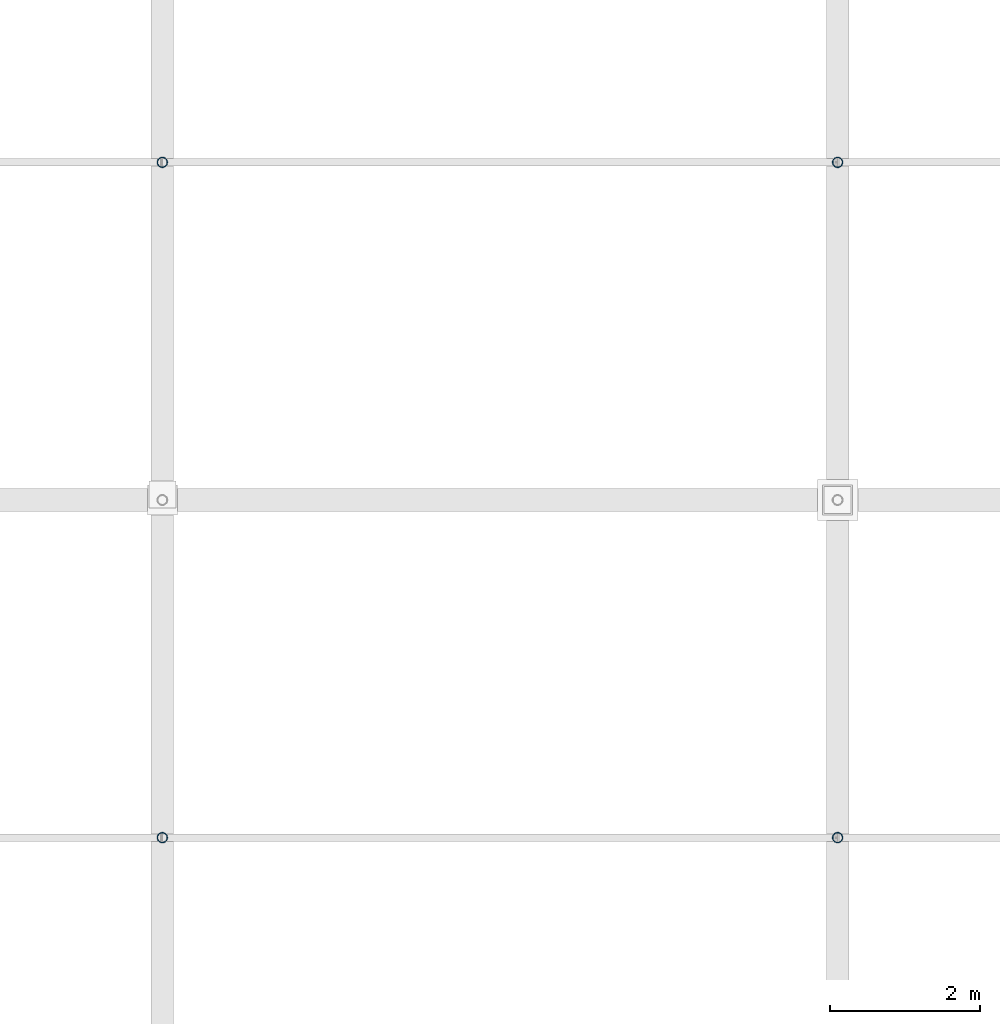
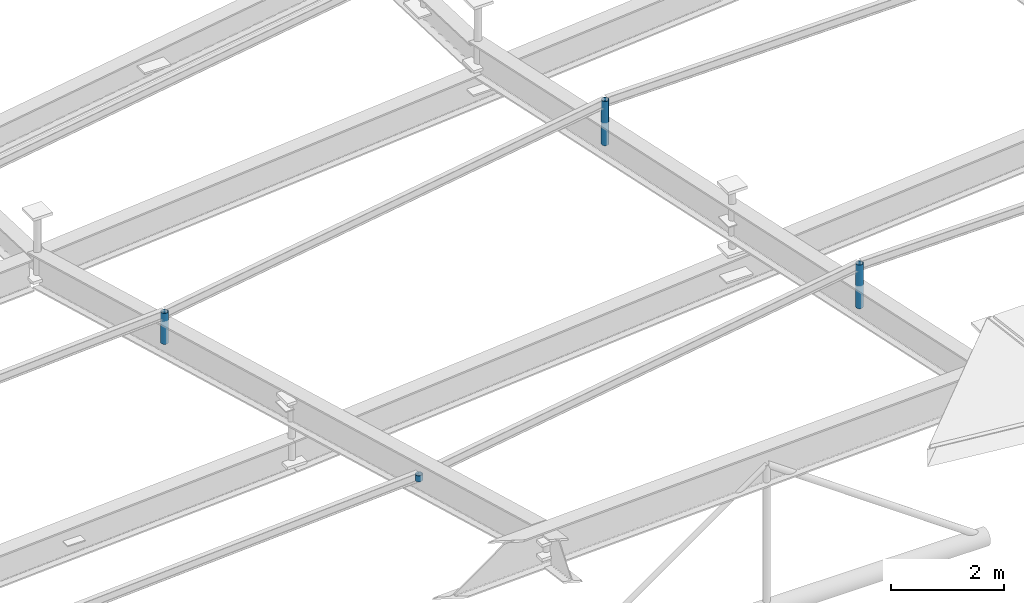
# One storey, part 73 of 80: 4 members.
"""IFC4 building model written with IfcOpenShell, lengths in metres."""

from ifc_helpers import new_model, si_unit, direction, frame, origin, origin_2d, place, context, subcontext, project, spatial, hollow_circle, extrude, material, material_profile, profile_set, type_object, element, save


model = new_model("IFC4")

# Units and contexts
model_context = context("Model", 3, precision=1e-05, world=origin(), true_north=direction((0.0, 1.0)))
body_context = subcontext(model_context, "Body", "Model", "MODEL_VIEW")
ifc_project = project(units=[si_unit("LENGTHUNIT", "METRE"), si_unit("AREAUNIT", "SQUARE_METRE"), si_unit("VOLUMEUNIT", "CUBIC_METRE"), si_unit("PLANEANGLEUNIT", "RADIAN"), si_unit("MASSUNIT", "GRAM", prefix="KILO")], contexts=[model_context])

# Site, building, storey
site_placement = place(None, origin())
site = spatial("IfcSite", under=ifc_project, at=site_placement, CompositionType="ELEMENT")
building_placement = place(site_placement, origin())
building = spatial("IfcBuilding", under=site, at=building_placement, Name="Barlavento Convention Centre", CompositionType="ELEMENT")
storey_placement = place(building_placement, frame((0.0, 0.0, 29.800048828125)))
storey = spatial("IfcBuildingStorey", under=building, at=storey_placement, Name="RF", CompositionType="ELEMENT", Elevation=29.800048828125)

# Members
ifc_material = material(Name="Steel S355", Category="steel")
ifc_material_profile = material_profile(ifc_material, hollow_circle(Radius=0.06982421875, WallThickness=0.008056640625, at=origin_2d()), Name="CHS 139.7x8.0")
ifc_profile_set = profile_set([ifc_material_profile], Name="Steel S355")
member_type = type_object("IfcMemberType", Name="STR-MEM-DIAG-CHS139", PredefinedType="BRACE", material=ifc_profile_set)
member_1_placement = place(storey_placement, frame((45.0, 40.5, -2.705078125), z_axis=(0.0, 0.0, 1.0), x_axis=(1.0, 0.0, 0.0)))
element("IfcMember", 1, at=member_1_placement, inside=storey, type_object=member_type, Name="Congress space frame vertical node post TD04", PredefinedType="BRACE", context=body_context, shape_type="SweptSolid", body=[
    extrude(hollow_circle(Radius=0.06982421875, WallThickness=0.008056640625, at=origin_2d()), origin(), (0.0, 0.0, 1.0), 0.1298828125),
])
member_2_placement = place(storey_placement, frame((45.0, 49.5, -5.193359375), z_axis=(0.0, 0.0, 1.0), x_axis=(1.0, 0.0, 0.0)))
element("IfcMember", 2, at=member_2_placement, inside=storey, type_object=member_type, Name="Congress space frame vertical node post TD04", PredefinedType="BRACE", context=body_context, shape_type="SweptSolid", body=[
    extrude(hollow_circle(Radius=0.06982421875, WallThickness=0.008056640625, at=origin_2d()), origin(), (0.0, 0.0, 1.0), 0.669189453125),
])
member_3_placement = place(storey_placement, frame((54.0, 40.5, -2.1181640625), z_axis=(0.0, 0.0, 1.0), x_axis=(1.0, 0.0, 0.0)))
element("IfcMember", 3, at=member_3_placement, inside=storey, type_object=member_type, Name="Congress space frame vertical node post TD04", PredefinedType="BRACE", context=body_context, shape_type="SweptSolid", body=[
    extrude(hollow_circle(Radius=0.06982421875, WallThickness=0.008056640625, at=origin_2d()), origin(), (0.0, 0.0, 1.0), 0.9443359375),
])
member_4_placement = place(storey_placement, frame((54.0, 49.5, -4.055908203125), z_axis=(0.0, 0.0, 1.0), x_axis=(1.0, 0.0, 0.0)))
element("IfcMember", 4, at=member_4_placement, inside=storey, type_object=member_type, Name="Congress space frame vertical node post TD04", PredefinedType="BRACE", context=body_context, shape_type="SweptSolid", body=[
    extrude(hollow_circle(Radius=0.06982421875, WallThickness=0.008056640625, at=origin_2d()), origin(), (0.0, 0.0, 1.0), 0.95751953125),
])

save(model, "model.ifc")
